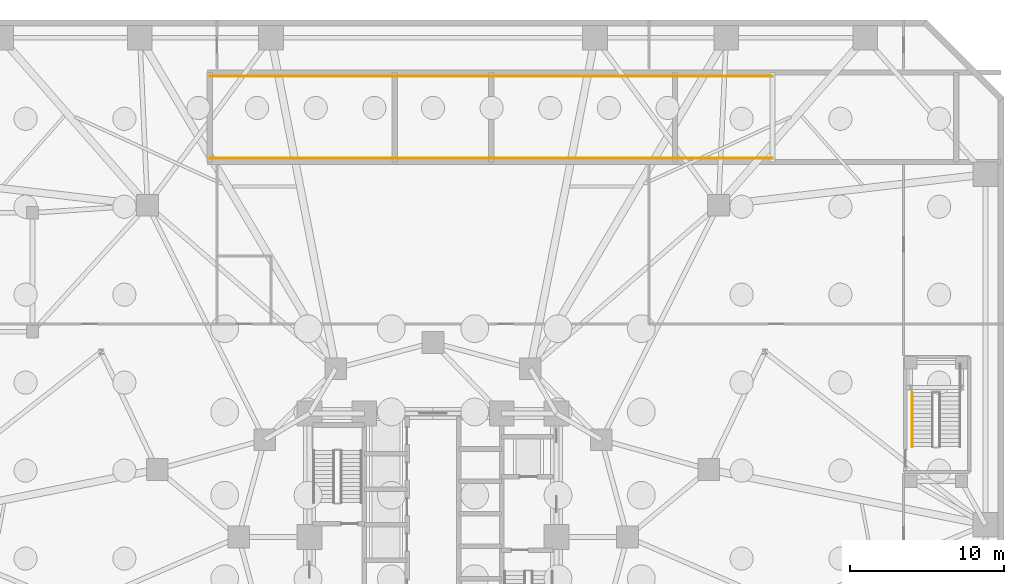
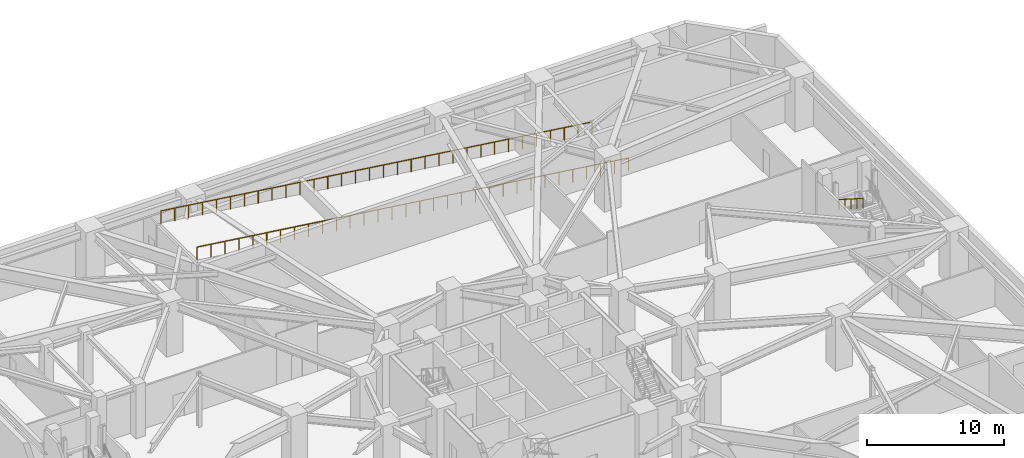
# One storey, part 18 of 20: 3 railings.
"""IFC4 building model written with IfcOpenShell, lengths in metres."""

from ifc_helpers import new_model, si_unit, direction, frame, origin, origin_2d, place, context, subcontext, project, spatial, circle, extrude, material, layer, layer_set, type_object, element, save


model = new_model("IFC4")

# Units and contexts
model_context = context("Model", 3, precision=1e-05, world=origin(), true_north=direction((0.0, 1.0)))
body_context = subcontext(model_context, "Body", "Model", "MODEL_VIEW")
ifc_project = project(units=[si_unit("LENGTHUNIT", "METRE"), si_unit("AREAUNIT", "SQUARE_METRE"), si_unit("VOLUMEUNIT", "CUBIC_METRE"), si_unit("PLANEANGLEUNIT", "RADIAN"), si_unit("MASSUNIT", "GRAM", prefix="KILO")], contexts=[model_context])

# Site, building, storey
site_placement = place(None, origin())
site = spatial("IfcSite", under=ifc_project, at=site_placement, CompositionType="ELEMENT")
building_placement = place(site_placement, origin())
building = spatial("IfcBuilding", under=site, at=building_placement, Name="Terralouvre Media Tower", CompositionType="ELEMENT")
storey_placement = place(building_placement, frame((0.0, 0.0, -9.60009765625)))
storey = spatial("IfcBuildingStorey", under=building, at=storey_placement, Name="B02", CompositionType="ELEMENT", Elevation=-9.60009765625)

# Railings
ifc_material_1 = material(Name="Stainless steel 316 handrail and balustrade", Category="steel")
ifc_layer_1 = layer(ifc_material_1, 0.06005859375, Name="Roof Edge Safety Guardrail GR-ROOF1")
ifc_layer_set_1 = layer_set([ifc_layer_1], Name="Stainless steel 316 handrail and balustrade")
railing_type_1 = type_object("IfcRailingType", Name="Roof Edge Safety Guardrail GR-ROOF1", PredefinedType="GUARDRAIL", material=ifc_layer_set_1)
railing_1_placement = place(storey_placement, frame((22.0, 24.5400390625, 0.0)))
element("IfcRailing", 1, at=railing_1_placement, inside=storey, type_object=railing_type_1, Name="Vehicle Ramp VR1 S Guardrail", PredefinedType="GUARDRAIL", context=body_context, shape_type="SweptSolid", body=[
    extrude(circle(Radius=0.02392578125, at=origin_2d()), frame((0.0, 0.0, 1.1259765625), z_axis=(-0.991440208365, 0.0, 0.130561530463), x_axis=(0.0, -1.0, 0.0)), (0.0, 0.0, 1.0), 36.7646484375),
    extrude(circle(Radius=0.02099609375, at=origin_2d()), origin(), (0.0, 0.0, 1.0), 1.101806640625),
    extrude(circle(Radius=0.02099609375, at=origin_2d()), frame((-1.17578125, 0.0, 0.15478515625)), (0.0, 0.0, 1.0), 1.101806640625),
    extrude(circle(Radius=0.02099609375, at=origin_2d()), frame((-2.3515625, 0.0, 0.3095703125)), (0.0, 0.0, 1.0), 1.101806640625),
    extrude(circle(Radius=0.02099609375, at=origin_2d()), frame((-3.52734375, 0.0, 0.464599609375)), (0.0, 0.0, 1.0), 1.101806640625),
    extrude(circle(Radius=0.02099609375, at=origin_2d()), frame((-4.703125, 0.0, 0.619384765625)), (0.0, 0.0, 1.0), 1.101806640625),
    extrude(circle(Radius=0.02099609375, at=origin_2d()), frame((-5.87890625, 0.0, 0.774169921875)), (0.0, 0.0, 1.0), 1.101806640625),
    extrude(circle(Radius=0.02099609375, at=origin_2d()), frame((-7.054931640625, 0.0, 0.928955078125)), (0.0, 0.0, 1.0), 1.101806640625),
    extrude(circle(Radius=0.02099609375, at=origin_2d()), frame((-8.230712890625, 0.0, 1.083984375)), (0.0, 0.0, 1.0), 1.101806640625),
    extrude(circle(Radius=0.02099609375, at=origin_2d()), frame((-9.406494140625, 0.0, 1.23876953125)), (0.0, 0.0, 1.0), 1.101806640625),
    extrude(circle(Radius=0.02099609375, at=origin_2d()), frame((-10.582275390625, 0.0, 1.3935546875)), (0.0, 0.0, 1.0), 1.101806640625),
    extrude(circle(Radius=0.02099609375, at=origin_2d()), frame((-11.758056640625, 0.0, 1.54833984375)), (0.0, 0.0, 1.0), 1.101806640625),
    extrude(circle(Radius=0.02099609375, at=origin_2d()), frame((-12.933837890625, 0.0, 1.703125)), (0.0, 0.0, 1.0), 1.101806640625),
    extrude(circle(Radius=0.02099609375, at=origin_2d()), frame((-14.109619140625, 0.0, 1.858154296875)), (0.0, 0.0, 1.0), 1.101806640625),
    extrude(circle(Radius=0.02099609375, at=origin_2d()), frame((-15.285400390625, 0.0, 2.012939453125)), (0.0, 0.0, 1.0), 1.101806640625),
    extrude(circle(Radius=0.02099609375, at=origin_2d()), frame((-16.461181640625, 0.0, 2.167724609375)), (0.0, 0.0, 1.0), 1.101806640625),
    extrude(circle(Radius=0.02099609375, at=origin_2d()), frame((-17.636962890625, 0.0, 2.322509765625)), (0.0, 0.0, 1.0), 1.101806640625),
    extrude(circle(Radius=0.02099609375, at=origin_2d()), frame((-18.81298828125, 0.0, 2.4775390625)), (0.0, 0.0, 1.0), 1.101806640625),
    extrude(circle(Radius=0.02099609375, at=origin_2d()), frame((-19.98876953125, 0.0, 2.63232421875)), (0.0, 0.0, 1.0), 1.101806640625),
    extrude(circle(Radius=0.02099609375, at=origin_2d()), frame((-21.16455078125, 0.0, 2.787109375)), (0.0, 0.0, 1.0), 1.101806640625),
    extrude(circle(Radius=0.02099609375, at=origin_2d()), frame((-22.34033203125, 0.0, 2.94189453125)), (0.0, 0.0, 1.0), 1.101806640625),
    extrude(circle(Radius=0.02099609375, at=origin_2d()), frame((-23.51611328125, 0.0, 3.096923828125)), (0.0, 0.0, 1.0), 1.101806640625),
    extrude(circle(Radius=0.02099609375, at=origin_2d()), frame((-24.69189453125, 0.0, 3.251708984375)), (0.0, 0.0, 1.0), 1.101806640625),
    extrude(circle(Radius=0.02099609375, at=origin_2d()), frame((-25.86767578125, 0.0, 3.406494140625)), (0.0, 0.0, 1.0), 1.101806640625),
    extrude(circle(Radius=0.02099609375, at=origin_2d()), frame((-27.04345703125, 0.0, 3.561279296875)), (0.0, 0.0, 1.0), 1.101806640625),
    extrude(circle(Radius=0.02099609375, at=origin_2d()), frame((-28.21923828125, 0.0, 3.716064453125)), (0.0, 0.0, 1.0), 1.101806640625),
    extrude(circle(Radius=0.02099609375, at=origin_2d()), frame((-29.39501953125, 0.0, 3.87109375)), (0.0, 0.0, 1.0), 1.101806640625),
    extrude(circle(Radius=0.02099609375, at=origin_2d()), frame((-30.571044921875, 0.0, 4.02587890625)), (0.0, 0.0, 1.0), 1.101806640625),
    extrude(circle(Radius=0.02099609375, at=origin_2d()), frame((-31.746826171875, 0.0, 4.1806640625)), (0.0, 0.0, 1.0), 1.101806640625),
    extrude(circle(Radius=0.02099609375, at=origin_2d()), frame((-32.922607421875, 0.0, 4.33544921875)), (0.0, 0.0, 1.0), 1.101806640625),
    extrude(circle(Radius=0.02099609375, at=origin_2d()), frame((-34.098388671875, 0.0, 4.490478515625)), (0.0, 0.0, 1.0), 1.101806640625),
    extrude(circle(Radius=0.02099609375, at=origin_2d()), frame((-35.274169921875, 0.0, 4.645263671875)), (0.0, 0.0, 1.0), 1.101806640625),
    extrude(circle(Radius=0.02099609375, at=origin_2d()), frame((-36.449951171875, 0.0, 4.800048828125)), (0.0, 0.0, 1.0), 1.101806640625),
])
railing_2_placement = place(storey_placement, frame((22.0, 29.860107421875, 0.0)))
element("IfcRailing", 2, at=railing_2_placement, inside=storey, type_object=railing_type_1, Name="Vehicle Ramp VR1 N Guardrail", PredefinedType="GUARDRAIL", context=body_context, shape_type="SweptSolid", body=[
    extrude(circle(Radius=0.02392578125, at=origin_2d()), frame((0.0, 0.0, 1.1259765625), z_axis=(-0.991440208365, 0.0, 0.130561530463), x_axis=(0.0, -1.0, 0.0)), (0.0, 0.0, 1.0), 36.7646484375),
    extrude(circle(Radius=0.02099609375, at=origin_2d()), origin(), (0.0, 0.0, 1.0), 1.101806640625),
    extrude(circle(Radius=0.02099609375, at=origin_2d()), frame((-1.17578125, 0.0, 0.15478515625)), (0.0, 0.0, 1.0), 1.101806640625),
    extrude(circle(Radius=0.02099609375, at=origin_2d()), frame((-2.3515625, 0.0, 0.3095703125)), (0.0, 0.0, 1.0), 1.101806640625),
    extrude(circle(Radius=0.02099609375, at=origin_2d()), frame((-3.52734375, 0.0, 0.464599609375)), (0.0, 0.0, 1.0), 1.101806640625),
    extrude(circle(Radius=0.02099609375, at=origin_2d()), frame((-4.703125, 0.0, 0.619384765625)), (0.0, 0.0, 1.0), 1.101806640625),
    extrude(circle(Radius=0.02099609375, at=origin_2d()), frame((-5.87890625, 0.0, 0.774169921875)), (0.0, 0.0, 1.0), 1.101806640625),
    extrude(circle(Radius=0.02099609375, at=origin_2d()), frame((-7.054931640625, 0.0, 0.928955078125)), (0.0, 0.0, 1.0), 1.101806640625),
    extrude(circle(Radius=0.02099609375, at=origin_2d()), frame((-8.230712890625, 0.0, 1.083984375)), (0.0, 0.0, 1.0), 1.101806640625),
    extrude(circle(Radius=0.02099609375, at=origin_2d()), frame((-9.406494140625, 0.0, 1.23876953125)), (0.0, 0.0, 1.0), 1.101806640625),
    extrude(circle(Radius=0.02099609375, at=origin_2d()), frame((-10.582275390625, 0.0, 1.3935546875)), (0.0, 0.0, 1.0), 1.101806640625),
    extrude(circle(Radius=0.02099609375, at=origin_2d()), frame((-11.758056640625, 0.0, 1.54833984375)), (0.0, 0.0, 1.0), 1.101806640625),
    extrude(circle(Radius=0.02099609375, at=origin_2d()), frame((-12.933837890625, 0.0, 1.703125)), (0.0, 0.0, 1.0), 1.101806640625),
    extrude(circle(Radius=0.02099609375, at=origin_2d()), frame((-14.109619140625, 0.0, 1.858154296875)), (0.0, 0.0, 1.0), 1.101806640625),
    extrude(circle(Radius=0.02099609375, at=origin_2d()), frame((-15.285400390625, 0.0, 2.012939453125)), (0.0, 0.0, 1.0), 1.101806640625),
    extrude(circle(Radius=0.02099609375, at=origin_2d()), frame((-16.461181640625, 0.0, 2.167724609375)), (0.0, 0.0, 1.0), 1.101806640625),
    extrude(circle(Radius=0.02099609375, at=origin_2d()), frame((-17.636962890625, 0.0, 2.322509765625)), (0.0, 0.0, 1.0), 1.101806640625),
    extrude(circle(Radius=0.02099609375, at=origin_2d()), frame((-18.81298828125, 0.0, 2.4775390625)), (0.0, 0.0, 1.0), 1.101806640625),
    extrude(circle(Radius=0.02099609375, at=origin_2d()), frame((-19.98876953125, 0.0, 2.63232421875)), (0.0, 0.0, 1.0), 1.101806640625),
    extrude(circle(Radius=0.02099609375, at=origin_2d()), frame((-21.16455078125, 0.0, 2.787109375)), (0.0, 0.0, 1.0), 1.101806640625),
    extrude(circle(Radius=0.02099609375, at=origin_2d()), frame((-22.34033203125, 0.0, 2.94189453125)), (0.0, 0.0, 1.0), 1.101806640625),
    extrude(circle(Radius=0.02099609375, at=origin_2d()), frame((-23.51611328125, 0.0, 3.096923828125)), (0.0, 0.0, 1.0), 1.101806640625),
    extrude(circle(Radius=0.02099609375, at=origin_2d()), frame((-24.69189453125, 0.0, 3.251708984375)), (0.0, 0.0, 1.0), 1.101806640625),
    extrude(circle(Radius=0.02099609375, at=origin_2d()), frame((-25.86767578125, 0.0, 3.406494140625)), (0.0, 0.0, 1.0), 1.101806640625),
    extrude(circle(Radius=0.02099609375, at=origin_2d()), frame((-27.04345703125, 0.0, 3.561279296875)), (0.0, 0.0, 1.0), 1.101806640625),
    extrude(circle(Radius=0.02099609375, at=origin_2d()), frame((-28.21923828125, 0.0, 3.716064453125)), (0.0, 0.0, 1.0), 1.101806640625),
    extrude(circle(Radius=0.02099609375, at=origin_2d()), frame((-29.39501953125, 0.0, 3.87109375)), (0.0, 0.0, 1.0), 1.101806640625),
    extrude(circle(Radius=0.02099609375, at=origin_2d()), frame((-30.571044921875, 0.0, 4.02587890625)), (0.0, 0.0, 1.0), 1.101806640625),
    extrude(circle(Radius=0.02099609375, at=origin_2d()), frame((-31.746826171875, 0.0, 4.1806640625)), (0.0, 0.0, 1.0), 1.101806640625),
    extrude(circle(Radius=0.02099609375, at=origin_2d()), frame((-32.922607421875, 0.0, 4.33544921875)), (0.0, 0.0, 1.0), 1.101806640625),
    extrude(circle(Radius=0.02099609375, at=origin_2d()), frame((-34.098388671875, 0.0, 4.490478515625)), (0.0, 0.0, 1.0), 1.101806640625),
    extrude(circle(Radius=0.02099609375, at=origin_2d()), frame((-35.274169921875, 0.0, 4.645263671875)), (0.0, 0.0, 1.0), 1.101806640625),
    extrude(circle(Radius=0.02099609375, at=origin_2d()), frame((-36.449951171875, 0.0, 4.800048828125)), (0.0, 0.0, 1.0), 1.101806640625),
])
ifc_material_2 = material(Name="Stainless steel 316 handrail and balustrade", Category="steel")
ifc_layer_2 = layer(ifc_material_2, 0.050048828125, Name="Stair Flight Wall Handrail HR-INT1")
ifc_layer_set_2 = layer_set([ifc_layer_2], Name="Stainless steel 316 handrail and balustrade")
railing_type_2 = type_object("IfcRailingType", Name="Stair Flight Wall Handrail HR-INT1", PredefinedType="HANDRAIL", material=ifc_layer_set_2)
railing_3_placement = place(storey_placement, frame((31.050048828125, 9.360107421875, 2.571533203125)))
element("IfcRailing", 3, at=railing_3_placement, inside=storey, type_object=railing_type_2, Name="B02 ST-04 stair handrail 2", PredefinedType="HANDRAIL", context=body_context, shape_type="SweptSolid", body=[
    extrude(circle(Radius=0.02392578125, at=origin_2d()), frame((0.0, 0.0, 0.8759765625), z_axis=(0.0, -0.844219563411, 0.53599750816), x_axis=(1.0, 0.0, 0.0)), (0.0, 0.0, 1.0), 4.15771484375),
    extrude(circle(Radius=0.02099609375, at=origin_2d()), origin(), (0.0, 0.0, 1.0), 0.851806640625),
    extrude(circle(Radius=0.02099609375, at=origin_2d()), frame((0.0, -0.87744140625, 0.55712890625)), (0.0, 0.0, 1.0), 0.851806640625),
    extrude(circle(Radius=0.02099609375, at=origin_2d()), frame((0.0, -1.7548828125, 1.1142578125)), (0.0, 0.0, 1.0), 0.851806640625),
    extrude(circle(Radius=0.02099609375, at=origin_2d()), frame((0.0, -2.632568359375, 1.67138671875)), (0.0, 0.0, 1.0), 0.851806640625),
    extrude(circle(Radius=0.02099609375, at=origin_2d()), frame((0.0, -3.510009765625, 2.228515625)), (0.0, 0.0, 1.0), 0.851806640625),
])

save(model, "model.ifc")
